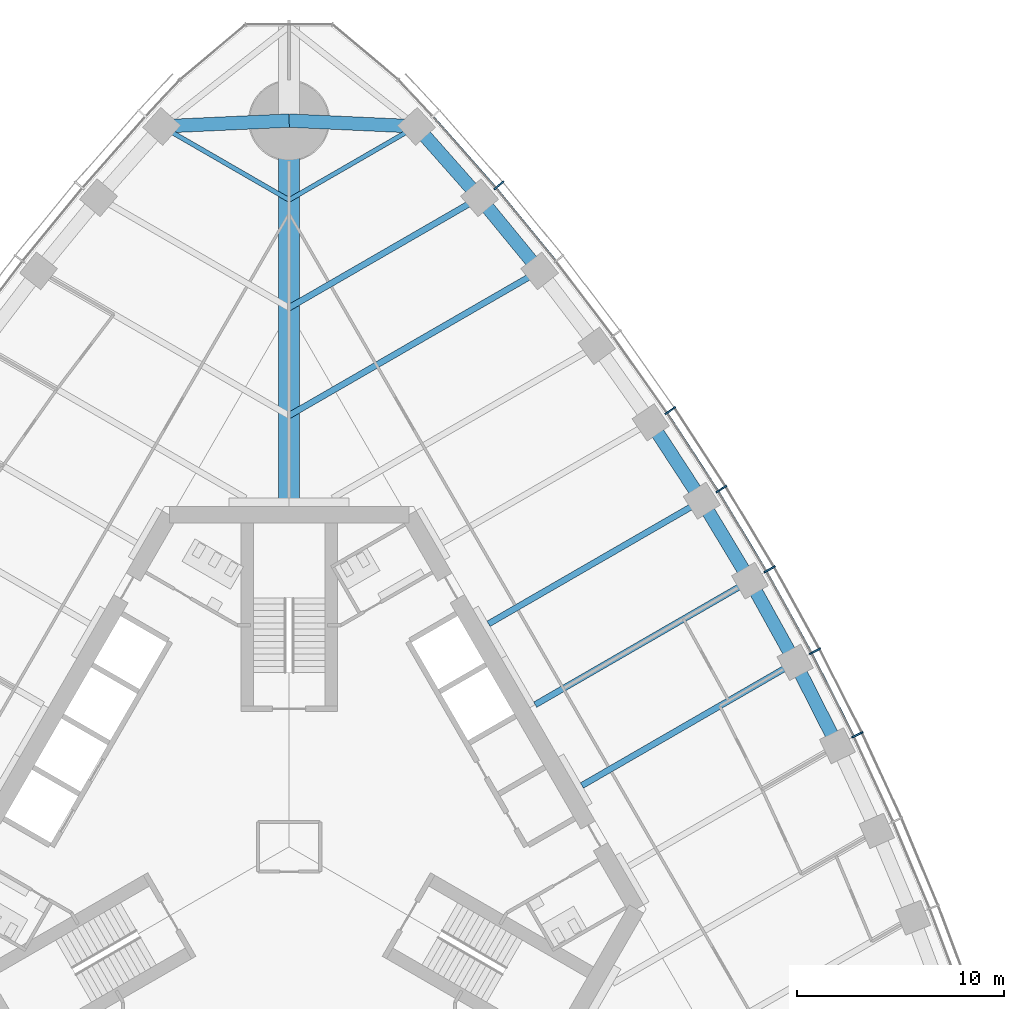
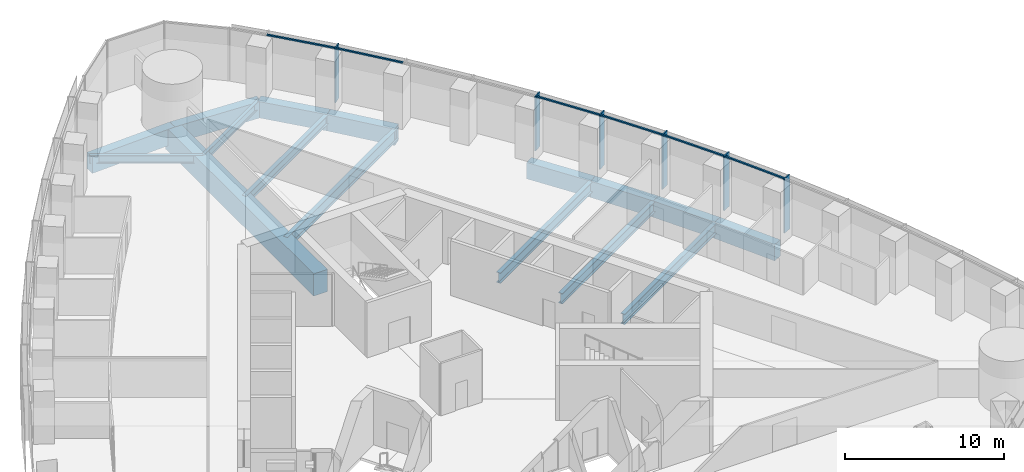
# One storey, part 6 of 19: 16 beams, 12 members, 1 element without a shape of its own.
"""IFC4 building model written with IfcOpenShell, lengths in metres."""

from ifc_helpers import new_model, si_unit, direction, frame, origin, origin_2d, place, context, subcontext, project, spatial, rectangle, i_section, extrude, material, material_profile, profile_set, type_object, element, aggregate, save


model = new_model("IFC4")

# Units and contexts
model_context = context("Model", 3, precision=1e-05, world=origin(), true_north=direction((0.0, 1.0)))
body_context = subcontext(model_context, "Body", "Model", "MODEL_VIEW")
ifc_project = project(units=[si_unit("LENGTHUNIT", "METRE"), si_unit("AREAUNIT", "SQUARE_METRE"), si_unit("VOLUMEUNIT", "CUBIC_METRE"), si_unit("PLANEANGLEUNIT", "RADIAN"), si_unit("MASSUNIT", "GRAM", prefix="KILO")], contexts=[model_context])

# Site, building, storey
site_placement = place(None, origin())
site = spatial("IfcSite", under=ifc_project, at=site_placement, CompositionType="ELEMENT")
building_placement = place(site_placement, origin())
building = spatial("IfcBuilding", under=site, at=building_placement, Name="Trefoil Bronze Tower", CompositionType="ELEMENT")
storey_placement = place(building_placement, frame((0.0, 0.0, 132.5)))
storey = spatial("IfcBuildingStorey", under=building, at=storey_placement, Name="L30", CompositionType="ELEMENT", Elevation=132.5)

# Curtain wall, members
ifc_material_1 = material(Name="Tinted solar-control glass", Category="glass")
curtain_wall_type = type_object("IfcCurtainWallType", Name="Bronze office curtain wall", PredefinedType="USERDEFINED", material=ifc_material_1)
curtain_wall_placement = place(storey_placement, origin())
curtain_wall = element("IfcCurtainWall", 1, at=curtain_wall_placement, inside=storey, type_object=curtain_wall_type, Name="CW-A L30 F2", ObjectType="CURTAIN WALL", PredefinedType="USERDEFINED")
ifc_material_2 = material(Name="Bronze-finish aluminium", Category="aluminium")
ifc_material_profile_1 = material_profile(ifc_material_2, rectangle(XDim=0.60009765625, YDim=0.080078125, at=origin_2d()), Name="CW-A mullion")
ifc_profile_set_1 = profile_set([ifc_material_profile_1], Name="Bronze-finish aluminium")
member_type_1 = type_object("IfcMemberType", Name="Bronze office curtain wall mullion", PredefinedType="MULLION", material=ifc_profile_set_1)
member_1_placement = place(storey_placement, frame((27.394775390625, 5.399169921875, 0.0), z_axis=(0.0, 0.0, 1.0), x_axis=(-0.899819602033, -0.436262173236, 0.0)))
member_1 = element("IfcMember", 2, at=member_1_placement, type_object=member_type_1, Name="CW-A L30 F2 mullion 6", PredefinedType="MULLION", context=body_context, shape_type="SweptSolid", body=[
    extrude(rectangle(XDim=0.60009765625, YDim=0.080078125, at=origin_2d()), origin(), (0.0, 0.0, 1.0), 4.179931640625),
])
member_2_placement = place(storey_placement, frame((25.350830078125, 9.427734375, 0.0), z_axis=(0.0, 0.0, 1.0), x_axis=(-0.883486441467, -0.468456729853, 0.0)))
member_2 = element("IfcMember", 3, at=member_2_placement, type_object=member_type_1, Name="CW-A L30 F2 mullion 7", PredefinedType="MULLION", context=body_context, shape_type="SweptSolid", body=[
    extrude(rectangle(XDim=0.60009765625, YDim=0.080078125, at=origin_2d()), origin(), (0.0, 0.0, 1.0), 4.179931640625),
])
member_3_placement = place(storey_placement, frame((23.166015625, 13.374755859375, 0.0), z_axis=(0.0, 0.0, 1.0), x_axis=(-0.866025403784, -0.5, 0.0)))
member_3 = element("IfcMember", 4, at=member_3_placement, type_object=member_type_1, Name="CW-A L30 F2 mullion 8", PredefinedType="MULLION", context=body_context, shape_type="SweptSolid", body=[
    extrude(rectangle(XDim=0.60009765625, YDim=0.080078125, at=origin_2d()), origin(), (0.0, 0.0, 1.0), 4.179931640625),
])
member_4_placement = place(storey_placement, frame((20.840087890625, 17.24072265625, 0.0), z_axis=(0.0, 0.0, 1.0), x_axis=(-0.84743864936, -0.530893337283, 0.0)))
member_4 = element("IfcMember", 5, at=member_4_placement, type_object=member_type_1, Name="CW-A L30 F2 mullion 9", PredefinedType="MULLION", context=body_context, shape_type="SweptSolid", body=[
    extrude(rectangle(XDim=0.60009765625, YDim=0.080078125, at=origin_2d()), origin(), (0.0, 0.0, 1.0), 4.179931640625),
])
member_5_placement = place(storey_placement, frame((18.373046875, 21.025146484375, 0.0), z_axis=(0.0, 0.0, 1.0), x_axis=(-0.827723925749, -0.561135547566, 0.0)))
member_5 = element("IfcMember", 6, at=member_5_placement, type_object=member_type_1, Name="CW-A L30 F2 mullion 10", PredefinedType="MULLION", context=body_context, shape_type="SweptSolid", body=[
    extrude(rectangle(XDim=0.60009765625, YDim=0.080078125, at=origin_2d()), origin(), (0.0, 0.0, 1.0), 4.179931640625),
])
member_6_placement = place(storey_placement, frame((10.11474609375, 31.8828125, 0.0), z_axis=(0.0, 0.0, 1.0), x_axis=(-0.761721651066, -0.647904411389, 0.0)))
member_6 = element("IfcMember", 7, at=member_6_placement, type_object=member_type_1, Name="CW-A L30 F2 mullion 13", PredefinedType="MULLION", context=body_context, shape_type="SweptSolid", body=[
    extrude(rectangle(XDim=0.60009765625, YDim=0.080078125, at=origin_2d()), origin(), (0.0, 0.0, 1.0), 4.179931640625),
])
ifc_material_3 = material(Name="Bronze-finish aluminium", Category="aluminium")
ifc_material_profile_2 = material_profile(ifc_material_3, rectangle(XDim=0.1201171875, YDim=0.10009765625, at=origin_2d()), Name="CW-A transom")
ifc_profile_set_2 = profile_set([ifc_material_profile_2], Name="Bronze-finish aluminium")
member_type_2 = type_object("IfcMemberType", Name="Bronze office curtain wall transom", PredefinedType="USERDEFINED", material=ifc_profile_set_2)
member_7_placement = place(storey_placement, frame((27.196044921875, 5.34912109375, 4.1298828125), z_axis=(-0.452478489814, 0.891775317138, 0.0), x_axis=(-0.891775317138, -0.452478489814, 0.0)))
member_7 = element("IfcMember", 8, at=member_7_placement, type_object=member_type_2, Name="CW-A L30 F2 transom 6", ObjectType="TRANSOM", PredefinedType="USERDEFINED", context=body_context, shape_type="SweptSolid", body=[
    extrude(rectangle(XDim=0.1201171875, YDim=0.10009765625, at=origin_2d()), origin(), (0.0, 0.0, 1.0), 4.426513671875),
])
member_8_placement = place(storey_placement, frame((25.154052734375, 9.37060546875, 4.1298828125), z_axis=(-0.484329470343, 0.874885686337, 0.0), x_axis=(-0.874885686337, -0.484329470343, 0.0)))
member_8 = element("IfcMember", 9, at=member_8_placement, type_object=member_type_2, Name="CW-A L30 F2 transom 7", ObjectType="TRANSOM", PredefinedType="USERDEFINED", context=body_context, shape_type="SweptSolid", body=[
    extrude(rectangle(XDim=0.1201171875, YDim=0.10009765625, at=origin_2d()), origin(), (0.0, 0.0, 1.0), 4.4208984375),
])
member_9_placement = place(storey_placement, frame((22.97119140625, 13.310546875, 4.1298828125), z_axis=(-0.515526794174, 0.856873458854, 0.0), x_axis=(-0.856873458854, -0.515526794174, 0.0)))
member_9 = element("IfcMember", 10, at=member_9_placement, type_object=member_type_2, Name="CW-A L30 F2 transom 8", ObjectType="TRANSOM", PredefinedType="USERDEFINED", context=body_context, shape_type="SweptSolid", body=[
    extrude(rectangle(XDim=0.1201171875, YDim=0.10009765625, at=origin_2d()), origin(), (0.0, 0.0, 1.0), 4.4208984375),
])
member_10_placement = place(storey_placement, frame((20.647705078125, 17.16943359375, 4.1298828125), z_axis=(-0.546079336226, 0.837733465099, 0.0), x_axis=(-0.837733465099, -0.546079336226, 0.0)))
member_10 = element("IfcMember", 11, at=member_10_placement, type_object=member_type_2, Name="CW-A L30 F2 transom 9", ObjectType="TRANSOM", PredefinedType="USERDEFINED", context=body_context, shape_type="SweptSolid", body=[
    extrude(rectangle(XDim=0.1201171875, YDim=0.10009765625, at=origin_2d()), origin(), (0.0, 0.0, 1.0), 4.426513671875),
])
member_11_placement = place(storey_placement, frame((12.82861328125, 28.255615234375, 4.1298828125), z_axis=(-0.633848872297, 0.773456919995, 0.0), x_axis=(-0.773456919995, -0.633848872297, 0.0)))
member_11 = element("IfcMember", 12, at=member_11_placement, type_object=member_type_2, Name="CW-A L30 F2 transom 12", ObjectType="TRANSOM", PredefinedType="USERDEFINED", context=body_context, shape_type="SweptSolid", body=[
    extrude(rectangle(XDim=0.1201171875, YDim=0.10009765625, at=origin_2d()), origin(), (0.0, 0.0, 1.0), 4.480224609375),
])
member_12_placement = place(storey_placement, frame((9.9345703125, 31.78466796875, 4.1298828125), z_axis=(-0.66173618877, 0.749736764786, 0.0), x_axis=(-0.749736764786, -0.66173618877, 0.0)))
member_12 = element("IfcMember", 13, at=member_12_placement, type_object=member_type_2, Name="CW-A L30 F2 transom 13", ObjectType="TRANSOM", PredefinedType="USERDEFINED", context=body_context, shape_type="SweptSolid", body=[
    extrude(rectangle(XDim=0.1201171875, YDim=0.10009765625, at=origin_2d()), origin(), (0.0, 0.0, 1.0), 4.510986328125),
])
aggregate(curtain_wall, [member_1, member_2, member_3, member_4, member_5, member_6, member_7, member_8, member_9, member_10, member_11, member_12])

# Beams
ifc_material_4 = material(Name="Concrete B80", Category="concrete")
ifc_material_profile_3 = material_profile(ifc_material_4, rectangle(XDim=1.0, YDim=1.699951171875, at=origin_2d()), Name="RC 1000x1700")
ifc_profile_set_3 = profile_set([ifc_material_profile_3], Name="Concrete B80")
beam_type_1 = type_object("IfcBeamType", Name="Corner girder RC 1000x1700", PredefinedType="BEAM", material=ifc_profile_set_3)
beam_1_placement = place(storey_placement, frame((0.0, 16.39990234375, -1.050048828125), z_axis=(0.0, 1.0, 0.0), x_axis=(-1.0, 0.0, 0.0)))
element("IfcBeam", 14, at=beam_1_placement, inside=storey, type_object=beam_type_1, Name="Corner girder K2 L30", PredefinedType="BEAM", context=body_context, shape_type="SweptSolid", body=[
    extrude(rectangle(XDim=1.0, YDim=1.699951171875, at=origin_2d()), origin(), (0.0, 0.0, 1.0), 18.60009765625),
])
ifc_material_5 = material(Name="Concrete B80", Category="concrete")
ifc_material_profile_4 = material_profile(ifc_material_5, rectangle(XDim=0.64990234375, YDim=1.25, at=origin_2d()), Name="RC 650x1250")
ifc_profile_set_4 = profile_set([ifc_material_profile_4], Name="Concrete B80")
beam_type_2 = type_object("IfcBeamType", Name="End spandrel beam RC 650x1250", PredefinedType="SPANDREL", material=ifc_profile_set_4)
for number, where, z_axis, x_axis, name in (
    (15, (6.13916015625, 34.72119140625, -0.824951171875), (-0.998970341464, 0.045368015985, 0.0), (-0.045368015985, -0.998970341464, 0.0), "Spandrel F2.14 L30"),
    (16, (0.0, 35.0, -0.824951171875), (-0.998970341464, -0.045368015985, 0.0), (0.045368015985, -0.998970341464, 0.0), "Spandrel F3.1 L30"),
):
    element("IfcBeam", number, at=place(storey_placement, frame(where, z_axis=z_axis, x_axis=x_axis)), inside=storey, type_object=beam_type_2, Name=name, PredefinedType="SPANDREL", context=body_context, shape_type="SweptSolid", body=[
        extrude(rectangle(XDim=0.64990234375, YDim=1.25, at=origin_2d()), origin(), (0.0, 0.0, 1.0), 6.1455078125),
    ])
ifc_material_6 = material(Name="Steel C355", Category="steel")
ifc_material_profile_5 = material_profile(ifc_material_6, i_section(OverallWidth=0.300048828125, OverallDepth=0.699951171875, WebThickness=0.01708984375, FlangeThickness=0.031982421875, FilletRadius=0.027099609375, at=origin_2d()), Name="HEB 700")
ifc_profile_set_5 = profile_set([ifc_material_profile_5], Name="Steel C355")
beam_type_3 = type_object("IfcBeamType", Name="Floor beam HEB 700", PredefinedType="BEAM", material=ifc_profile_set_5)
beam_2_placement = place(storey_placement, frame((9.181884765625, 31.281982421875, -0.550048828125), z_axis=(-0.866021079084, -0.500007490527, 0.0), x_axis=(0.500007490527, -0.866021079084, 0.0)))
element("IfcBeam", 17, at=beam_2_placement, inside=storey, type_object=beam_type_3, Name="Floor beam F2/+5 L30", PredefinedType="BEAM", context=body_context, shape_type="SweptSolid", body=[
    extrude(i_section(OverallWidth=0.300048828125, OverallDepth=0.699951171875, WebThickness=0.01708984375, FlangeThickness=0.031982421875, FilletRadius=0.027099609375, at=origin_2d()), origin(), (0.0, 0.0, 1.0), 10.602294921875),
])
ifc_material_7 = material(Name="Steel C355", Category="steel")
ifc_material_profile_6 = material_profile(ifc_material_7, i_section(OverallWidth=0.300048828125, OverallDepth=0.800048828125, WebThickness=0.017578125, FlangeThickness=0.032958984375, FilletRadius=0.030029296875, at=origin_2d()), Name="HEB 800")
ifc_profile_set_6 = profile_set([ifc_material_profile_6], Name="Steel C355")
beam_type_4 = type_object("IfcBeamType", Name="Floor beam HEB 800", PredefinedType="BEAM", material=ifc_profile_set_6)
beam_3_placement = place(storey_placement, frame((24.392578125, 8.886962890625, -0.60009765625), z_axis=(-0.866024236736, -0.500002021381, 0.0), x_axis=(0.500002021381, -0.866024236736, 0.0)))
element("IfcBeam", 18, at=beam_3_placement, inside=storey, type_object=beam_type_4, Name="Floor beam F2/-1 L30", PredefinedType="BEAM", context=body_context, shape_type="SweptSolid", body=[
    extrude(i_section(OverallWidth=0.300048828125, OverallDepth=0.800048828125, WebThickness=0.017578125, FlangeThickness=0.032958984375, FilletRadius=0.030029296875, at=origin_2d()), origin(), (0.0, 0.0, 1.0), 11.8681640625),
])
beam_4_placement = place(storey_placement, frame((22.21337890625, 12.824951171875, -0.60009765625), z_axis=(-0.866028062731, -0.499995394541, 0.0), x_axis=(0.499995394541, -0.866028062731, 0.0)))
element("IfcBeam", 19, at=beam_4_placement, inside=storey, type_object=beam_type_4, Name="Floor beam F2/+0 L30", PredefinedType="BEAM", context=body_context, shape_type="SweptSolid", body=[
    extrude(i_section(OverallWidth=0.300048828125, OverallDepth=0.800048828125, WebThickness=0.017578125, FlangeThickness=0.032958984375, FilletRadius=0.030029296875, at=origin_2d()), origin(), (0.0, 0.0, 1.0), 11.94970703125),
])
beam_5_placement = place(storey_placement, frame((19.892578125, 16.68115234375, -0.60009765625), z_axis=(-0.866024236736, -0.500002021381, 0.0), x_axis=(0.500002021381, -0.866024236736, 0.0)))
element("IfcBeam", 20, at=beam_5_placement, inside=storey, type_object=beam_type_4, Name="Floor beam F2/+1 L30", PredefinedType="BEAM", context=body_context, shape_type="SweptSolid", body=[
    extrude(i_section(OverallWidth=0.300048828125, OverallDepth=0.800048828125, WebThickness=0.017578125, FlangeThickness=0.032958984375, FilletRadius=0.030029296875, at=origin_2d()), origin(), (0.0, 0.0, 1.0), 11.8681640625),
])
ifc_material_8 = material(Name="Steel C355", Category="steel")
ifc_material_profile_7 = material_profile(ifc_material_8, i_section(OverallWidth=0.300048828125, OverallDepth=0.89990234375, WebThickness=0.0185546875, FlangeThickness=0.034912109375, FilletRadius=0.030029296875, at=origin_2d()), Name="HEB 900")
ifc_profile_set_7 = profile_set([ifc_material_profile_7], Name="Steel C355")
beam_type_5 = type_object("IfcBeamType", Name="Floor beam HEB 900", PredefinedType="BEAM", material=ifc_profile_set_7)
beam_6_placement = place(storey_placement, frame((12.07666015625, 27.757080078125, -0.64990234375), z_axis=(-0.866026983775, -0.499997263366, 0.0), x_axis=(0.499997263366, -0.866026983775, 0.0)))
element("IfcBeam", 21, at=beam_6_placement, inside=storey, type_object=beam_type_5, Name="Floor beam F2/+4 L30", PredefinedType="BEAM", context=body_context, shape_type="SweptSolid", body=[
    extrude(i_section(OverallWidth=0.300048828125, OverallDepth=0.89990234375, WebThickness=0.0185546875, FlangeThickness=0.034912109375, FilletRadius=0.030029296875, at=origin_2d()), origin(), (0.0, 0.0, 1.0), 13.94482421875),
])
ifc_material_9 = material(Name="Steel C355", Category="steel")
ifc_material_profile_8 = material_profile(ifc_material_9, i_section(OverallWidth=0.219970703125, OverallDepth=0.60009765625, WebThickness=0.011962890625, FlangeThickness=0.01904296875, FilletRadius=0.02392578125, at=origin_2d()), Name="IPE 600")
ifc_profile_set_8 = profile_set([ifc_material_profile_8], Name="Steel C355")
beam_type_6 = type_object("IfcBeamType", Name="Floor beam IPE 600", PredefinedType="BEAM", material=ifc_profile_set_8)
for number, where, z_axis, x_axis, name in (
    (22, (6.13916015625, 34.72119140625, -0.5), (-0.866041060244, -0.499972881236, 0.0), (0.499972881236, -0.866041060244, 0.0), "Floor beam F2/+6 L30"),
    (23, (-6.13916015625, 34.72119140625, -0.5), (0.866041060244, -0.499972881236, 0.0), (0.499972881236, 0.866041060244, 0.0), "Floor beam F3/-6 L30"),
):
    element("IfcBeam", number, at=place(storey_placement, frame(where, z_axis=z_axis, x_axis=x_axis)), inside=storey, type_object=beam_type_6, Name=name, PredefinedType="BEAM", context=body_context, shape_type="SweptSolid", body=[
        extrude(i_section(OverallWidth=0.219970703125, OverallDepth=0.60009765625, WebThickness=0.011962890625, FlangeThickness=0.01904296875, FilletRadius=0.02392578125, at=origin_2d()), origin(), (0.0, 0.0, 1.0), 7.0888671875),
    ])
ifc_material_10 = material(Name="Concrete B80", Category="concrete")
ifc_material_profile_9 = material_profile(ifc_material_10, rectangle(XDim=0.64990234375, YDim=1.25, at=origin_2d()), Name="RC 650x1250")
ifc_profile_set_9 = profile_set([ifc_material_profile_9], Name="Concrete B80")
beam_type_7 = type_object("IfcBeamType", Name="Spandrel beam RC 650x1250", PredefinedType="SPANDREL", material=ifc_profile_set_9)
beam_7_placement = place(storey_placement, frame((26.43017578125, 4.8671875, -0.824951171875), z_axis=(-0.452125717735, 0.891954222683, 0.0), x_axis=(-0.891954222683, -0.452125717735, 0.0)))
element("IfcBeam", 24, at=beam_7_placement, inside=storey, type_object=beam_type_7, Name="Spandrel F2.6 L30", PredefinedType="SPANDREL", context=body_context, shape_type="SweptSolid", body=[
    extrude(rectangle(XDim=0.64990234375, YDim=1.25, at=origin_2d()), origin(), (0.0, 0.0, 1.0), 4.506591796875),
])
for number, where, z_axis, x_axis, name in (
    (25, (24.392578125, 8.886962890625, -0.824951171875), (-0.484186866546, 0.874964615436, 0.0), (-0.874964615436, -0.484186866546, 0.0), "Spandrel F2.7 L30"),
    (26, (22.21337890625, 12.824951171875, -0.824951171875), (-0.515651979972, 0.856798129988, 0.0), (-0.856798129988, -0.515651979972, 0.0), "Spandrel F2.8 L30"),
):
    element("IfcBeam", number, at=place(storey_placement, frame(where, z_axis=z_axis, x_axis=x_axis)), inside=storey, type_object=beam_type_7, Name=name, PredefinedType="SPANDREL", context=body_context, shape_type="SweptSolid", body=[
        extrude(rectangle(XDim=0.64990234375, YDim=1.25, at=origin_2d()), origin(), (0.0, 0.0, 1.0), 4.500732421875),
    ])
beam_8_placement = place(storey_placement, frame((19.892578125, 16.68115234375, -0.824951171875), z_axis=(-0.546396670296, 0.83752652417, 0.0), x_axis=(-0.83752652417, -0.546396670296, 0.0)))
element("IfcBeam", 27, at=beam_8_placement, inside=storey, type_object=beam_type_7, Name="Spandrel F2.9 L30", PredefinedType="SPANDREL", context=body_context, shape_type="SweptSolid", body=[
    extrude(rectangle(XDim=0.64990234375, YDim=1.25, at=origin_2d()), origin(), (0.0, 0.0, 1.0), 4.506591796875),
])
beam_9_placement = place(storey_placement, frame((12.07666015625, 27.757080078125, -0.824951171875), z_axis=(-0.634650386838, 0.772799383079, 0.0), x_axis=(-0.772799383079, -0.634650386838, 0.0)))
element("IfcBeam", 28, at=beam_9_placement, inside=storey, type_object=beam_type_7, Name="Spandrel F2.12 L30", PredefinedType="SPANDREL", context=body_context, shape_type="SweptSolid", body=[
    extrude(rectangle(XDim=0.64990234375, YDim=1.25, at=origin_2d()), origin(), (0.0, 0.0, 1.0), 4.561279296875),
])
beam_10_placement = place(storey_placement, frame((9.181884765625, 31.281982421875, -0.824951171875), z_axis=(-0.662616326239, 0.748959013699, 0.0), x_axis=(-0.748959013699, -0.662616326239, 0.0)))
element("IfcBeam", 29, at=beam_10_placement, inside=storey, type_object=beam_type_7, Name="Spandrel F2.13 L30", PredefinedType="SPANDREL", context=body_context, shape_type="SweptSolid", body=[
    extrude(rectangle(XDim=0.64990234375, YDim=1.25, at=origin_2d()), origin(), (0.0, 0.0, 1.0), 4.592041015625),
])

save(model, "model.ifc")
